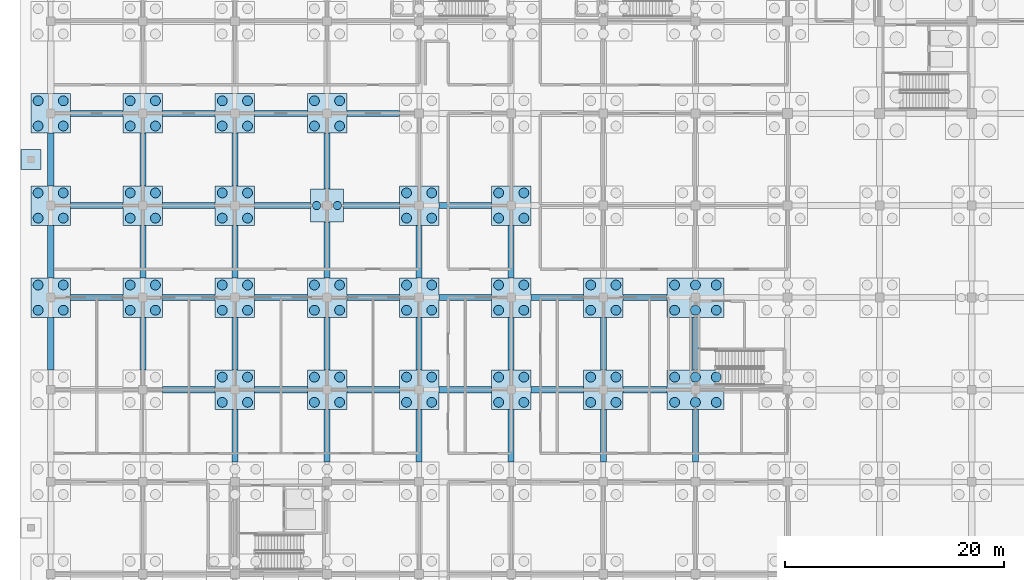
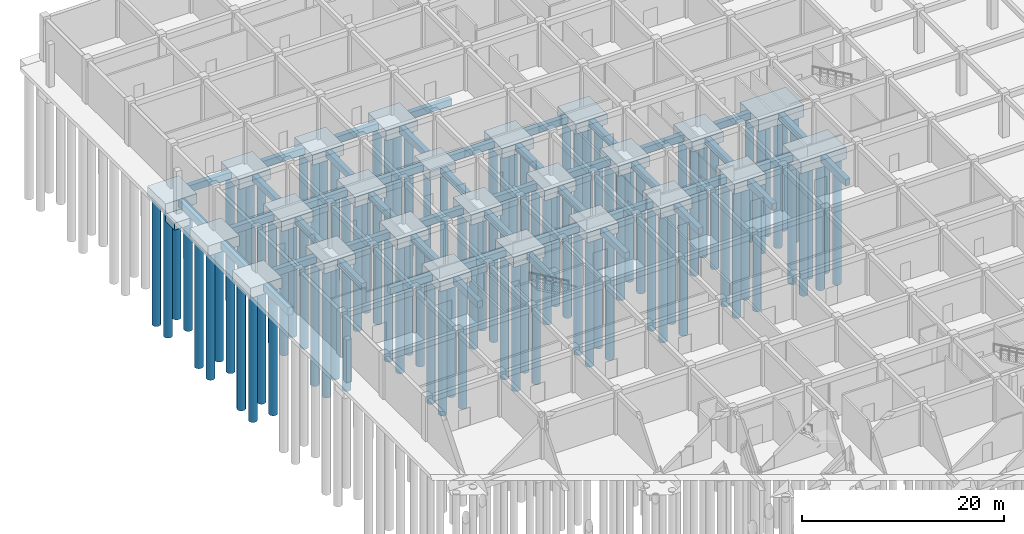
# One storey, part 7 of 65: 98 piles, 71 footings.
"""IFC4 building model written with IfcOpenShell, lengths in metres."""

from ifc_helpers import new_model, si_unit, direction, frame, origin, origin_2d, place, context, subcontext, project, spatial, rectangle, circle, extrude, material, material_profile, profile_set, type_object, element, save


model = new_model("IFC4")

# Units and contexts
model_context = context("Model", 3, precision=1e-05, world=origin(), true_north=direction((0.0, 1.0)))
body_context = subcontext(model_context, "Body", "Model", "MODEL_VIEW")
ifc_project = project(units=[si_unit("LENGTHUNIT", "METRE"), si_unit("AREAUNIT", "SQUARE_METRE"), si_unit("VOLUMEUNIT", "CUBIC_METRE"), si_unit("PLANEANGLEUNIT", "RADIAN"), si_unit("MASSUNIT", "GRAM", prefix="KILO")], contexts=[model_context])

# Site, building, storey
site_placement = place(None, origin())
site = spatial("IfcSite", under=ifc_project, at=site_placement, CompositionType="ELEMENT")
building_placement = place(site_placement, origin())
building = spatial("IfcBuilding", under=site, at=building_placement, Name="Bramfleet General Hospital", CompositionType="ELEMENT")
storey_placement = place(building_placement, frame((0.0, 0.0, -5.39990234375)))
storey = spatial("IfcBuildingStorey", under=building, at=storey_placement, Name="B1", CompositionType="ELEMENT", Elevation=-5.39990234375)

# Footings
ifc_material = material(Name="Concrete C35/45", Category="concrete")
ifc_material_profile_1 = material_profile(ifc_material, rectangle(XDim=0.550048828125, YDim=0.800048828125, at=origin_2d()), Name="RC FB 800x550")
ifc_profile_set_1 = profile_set([ifc_material_profile_1], Name="Concrete C35/45")
footing_type_1 = type_object("IfcFootingType", Name="FTG-FB-01", PredefinedType="FOOTING_BEAM", material=ifc_profile_set_1)
for number, where, z_axis, x_axis, name in (
    (1, (1.800048828125, 75.60009765625, -0.900146484375), (1.0, 0.0, 0.0), (0.0, 1.0, 0.0), "Foundation Tie Beam X 00-09"),
    (2, (1.800048828125, 84.0, -0.900146484375), (1.0, 0.0, 0.0), (0.0, 1.0, 0.0), "Foundation Tie Beam X 00-10"),
    (3, (1.800048828125, 92.39990234375, -0.900146484375), (1.0, 0.0, 0.0), (0.0, 1.0, 0.0), "Foundation Tie Beam X 00-11"),
    (4, (10.199951171875, 67.199951171875, -0.900146484375), (1.0, 0.0, 0.0), (0.0, 1.0, 0.0), "Foundation Tie Beam X 01-08"),
    (5, (8.39990234375, 69.0, -0.900146484375), (0.0, 1.0, 0.0), (-1.0, 0.0, 0.0), "Foundation Tie Beam Y 01-08"),
    (6, (10.199951171875, 75.60009765625, -0.900146484375), (1.0, 0.0, 0.0), (0.0, 1.0, 0.0), "Foundation Tie Beam X 01-09"),
    (7, (8.39990234375, 77.39990234375, -0.900146484375), (0.0, 1.0, 0.0), (-1.0, 0.0, 0.0), "Foundation Tie Beam Y 01-09"),
    (8, (10.199951171875, 84.0, -0.900146484375), (1.0, 0.0, 0.0), (0.0, 1.0, 0.0), "Foundation Tie Beam X 01-10"),
    (9, (8.39990234375, 85.800048828125, -0.900146484375), (0.0, 1.0, 0.0), (-1.0, 0.0, 0.0), "Foundation Tie Beam Y 01-10"),
    (10, (10.199951171875, 92.39990234375, -0.900146484375), (1.0, 0.0, 0.0), (0.0, 1.0, 0.0), "Foundation Tie Beam X 01-11"),
):
    element("IfcFooting", number, at=place(storey_placement, frame(where, z_axis=z_axis, x_axis=x_axis)), inside=storey, type_object=footing_type_1, Name=name, PredefinedType="FOOTING_BEAM", context=body_context, shape_type="SweptSolid", body=[
        extrude(rectangle(XDim=0.550048828125, YDim=0.800048828125, at=origin_2d()), origin(), (0.0, 0.0, 1.0), 4.800048828125),
    ])
for number, where, z_axis, x_axis, name in (
    (11, (16.800048828125, 60.60009765625, -0.900146484375), (0.0, 1.0, 0.0), (-1.0, 0.0, 0.0), "Foundation Tie Beam Y 02-07"),
    (12, (18.60009765625, 67.199951171875, -0.900146484375), (1.0, 0.0, 0.0), (0.0, 1.0, 0.0), "Foundation Tie Beam X 02-08"),
):
    element("IfcFooting", number, at=place(storey_placement, frame(where, z_axis=z_axis, x_axis=x_axis)), inside=storey, type_object=footing_type_1, Name=name, PredefinedType="FOOTING_BEAM", context=body_context, shape_type="SweptSolid", body=[
        extrude(rectangle(XDim=0.550048828125, YDim=0.800048828125, at=origin_2d()), origin(), (0.0, 0.0, 1.0), 4.7998046875),
    ])
footing_1_placement = place(storey_placement, frame((16.800048828125, 69.0, -0.900146484375), z_axis=(0.0, 1.0, 0.0), x_axis=(-1.0, 0.0, 0.0)))
element("IfcFooting", 13, at=footing_1_placement, inside=storey, type_object=footing_type_1, Name="Foundation Tie Beam Y 02-08", PredefinedType="FOOTING_BEAM", context=body_context, shape_type="SweptSolid", body=[
    extrude(rectangle(XDim=0.550048828125, YDim=0.800048828125, at=origin_2d()), origin(), (0.0, 0.0, 1.0), 4.800048828125),
])
footing_2_placement = place(storey_placement, frame((18.60009765625, 75.60009765625, -0.900146484375), z_axis=(1.0, 0.0, 0.0), x_axis=(0.0, 1.0, 0.0)))
element("IfcFooting", 14, at=footing_2_placement, inside=storey, type_object=footing_type_1, Name="Foundation Tie Beam X 02-09", PredefinedType="FOOTING_BEAM", context=body_context, shape_type="SweptSolid", body=[
    extrude(rectangle(XDim=0.550048828125, YDim=0.800048828125, at=origin_2d()), origin(), (0.0, 0.0, 1.0), 4.7998046875),
])
footing_3_placement = place(storey_placement, frame((16.800048828125, 77.39990234375, -0.900146484375), z_axis=(0.0, 1.0, 0.0), x_axis=(-1.0, 0.0, 0.0)))
element("IfcFooting", 15, at=footing_3_placement, inside=storey, type_object=footing_type_1, Name="Foundation Tie Beam Y 02-09", PredefinedType="FOOTING_BEAM", context=body_context, shape_type="SweptSolid", body=[
    extrude(rectangle(XDim=0.550048828125, YDim=0.800048828125, at=origin_2d()), origin(), (0.0, 0.0, 1.0), 4.800048828125),
])
footing_4_placement = place(storey_placement, frame((18.60009765625, 84.0, -0.900146484375), z_axis=(1.0, 0.0, 0.0), x_axis=(0.0, 1.0, 0.0)))
element("IfcFooting", 16, at=footing_4_placement, inside=storey, type_object=footing_type_1, Name="Foundation Tie Beam X 02-10", PredefinedType="FOOTING_BEAM", context=body_context, shape_type="SweptSolid", body=[
    extrude(rectangle(XDim=0.550048828125, YDim=0.800048828125, at=origin_2d()), origin(), (0.0, 0.0, 1.0), 5.099853515625),
])
footing_5_placement = place(storey_placement, frame((16.800048828125, 85.800048828125, -0.900146484375), z_axis=(0.0, 1.0, 0.0), x_axis=(-1.0, 0.0, 0.0)))
element("IfcFooting", 17, at=footing_5_placement, inside=storey, type_object=footing_type_1, Name="Foundation Tie Beam Y 02-10", PredefinedType="FOOTING_BEAM", context=body_context, shape_type="SweptSolid", body=[
    extrude(rectangle(XDim=0.550048828125, YDim=0.800048828125, at=origin_2d()), origin(), (0.0, 0.0, 1.0), 4.800048828125),
])
for number, where, z_axis, x_axis, name in (
    (18, (18.60009765625, 92.39990234375, -0.900146484375), (1.0, 0.0, 0.0), (0.0, 1.0, 0.0), "Foundation Tie Beam X 02-11"),
    (19, (25.199951171875, 60.60009765625, -0.900146484375), (0.0, 1.0, 0.0), (-1.0, 0.0, 0.0), "Foundation Tie Beam Y 03-07"),
):
    element("IfcFooting", number, at=place(storey_placement, frame(where, z_axis=z_axis, x_axis=x_axis)), inside=storey, type_object=footing_type_1, Name=name, PredefinedType="FOOTING_BEAM", context=body_context, shape_type="SweptSolid", body=[
        extrude(rectangle(XDim=0.550048828125, YDim=0.800048828125, at=origin_2d()), origin(), (0.0, 0.0, 1.0), 4.7998046875),
    ])
for number, where, z_axis, x_axis, name in (
    (20, (27.0, 67.199951171875, -0.900146484375), (1.0, 0.0, 0.0), (0.0, 1.0, 0.0), "Foundation Tie Beam X 03-08"),
    (21, (25.199951171875, 69.0, -0.900146484375), (0.0, 1.0, 0.0), (-1.0, 0.0, 0.0), "Foundation Tie Beam Y 03-08"),
    (22, (27.0, 75.60009765625, -0.900146484375), (1.0, 0.0, 0.0), (0.0, 1.0, 0.0), "Foundation Tie Beam X 03-09"),
):
    element("IfcFooting", number, at=place(storey_placement, frame(where, z_axis=z_axis, x_axis=x_axis)), inside=storey, type_object=footing_type_1, Name=name, PredefinedType="FOOTING_BEAM", context=body_context, shape_type="SweptSolid", body=[
        extrude(rectangle(XDim=0.550048828125, YDim=0.800048828125, at=origin_2d()), origin(), (0.0, 0.0, 1.0), 4.800048828125),
    ])
for number, where, z_axis, x_axis, name in (
    (23, (25.199951171875, 77.39990234375, -0.900146484375), (0.0, 1.0, 0.0), (-1.0, 0.0, 0.0), "Foundation Tie Beam Y 03-09"),
    (24, (26.699951171875, 84.0, -0.900146484375), (1.0, 0.0, 0.0), (0.0, 1.0, 0.0), "Foundation Tie Beam X 03-10"),
    (25, (25.199951171875, 85.5, -0.900146484375), (0.0, 1.0, 0.0), (-1.0, 0.0, 0.0), "Foundation Tie Beam Y 03-10"),
):
    element("IfcFooting", number, at=place(storey_placement, frame(where, z_axis=z_axis, x_axis=x_axis)), inside=storey, type_object=footing_type_1, Name=name, PredefinedType="FOOTING_BEAM", context=body_context, shape_type="SweptSolid", body=[
        extrude(rectangle(XDim=0.550048828125, YDim=0.800048828125, at=origin_2d()), origin(), (0.0, 0.0, 1.0), 5.10009765625),
    ])
footing_6_placement = place(storey_placement, frame((27.0, 92.39990234375, -0.900146484375), z_axis=(1.0, 0.0, 0.0), x_axis=(0.0, 1.0, 0.0)))
element("IfcFooting", 26, at=footing_6_placement, inside=storey, type_object=footing_type_1, Name="Foundation Tie Beam X 03-11", PredefinedType="FOOTING_BEAM", context=body_context, shape_type="SweptSolid", body=[
    extrude(rectangle(XDim=0.550048828125, YDim=0.800048828125, at=origin_2d()), origin(), (0.0, 0.0, 1.0), 4.800048828125),
])
footing_7_placement = place(storey_placement, frame((33.60009765625, 60.60009765625, -0.900146484375), z_axis=(0.0, 1.0, 0.0), x_axis=(-1.0, 0.0, 0.0)))
element("IfcFooting", 27, at=footing_7_placement, inside=storey, type_object=footing_type_1, Name="Foundation Tie Beam Y 04-07", PredefinedType="FOOTING_BEAM", context=body_context, shape_type="SweptSolid", body=[
    extrude(rectangle(XDim=0.550048828125, YDim=0.800048828125, at=origin_2d()), origin(), (0.0, 0.0, 1.0), 4.7998046875),
])
for number, where, z_axis, x_axis, name in (
    (28, (35.39990234375, 67.199951171875, -0.900146484375), (1.0, 0.0, 0.0), (0.0, 1.0, 0.0), "Foundation Tie Beam X 04-08"),
    (29, (33.60009765625, 69.0, -0.900146484375), (0.0, 1.0, 0.0), (-1.0, 0.0, 0.0), "Foundation Tie Beam Y 04-08"),
    (30, (35.39990234375, 75.60009765625, -0.900146484375), (1.0, 0.0, 0.0), (0.0, 1.0, 0.0), "Foundation Tie Beam X 04-09"),
    (31, (33.60009765625, 77.39990234375, -0.900146484375), (0.0, 1.0, 0.0), (-1.0, 0.0, 0.0), "Foundation Tie Beam Y 04-09"),
    (32, (35.39990234375, 84.0, -0.900146484375), (1.0, 0.0, 0.0), (0.0, 1.0, 0.0), "Foundation Tie Beam X 04-10"),
):
    element("IfcFooting", number, at=place(storey_placement, frame(where, z_axis=z_axis, x_axis=x_axis)), inside=storey, type_object=footing_type_1, Name=name, PredefinedType="FOOTING_BEAM", context=body_context, shape_type="SweptSolid", body=[
        extrude(rectangle(XDim=0.550048828125, YDim=0.800048828125, at=origin_2d()), origin(), (0.0, 0.0, 1.0), 4.800048828125),
    ])
footing_8_placement = place(storey_placement, frame((42.0, 60.60009765625, -0.900146484375), z_axis=(0.0, 1.0, 0.0), x_axis=(-1.0, 0.0, 0.0)))
element("IfcFooting", 33, at=footing_8_placement, inside=storey, type_object=footing_type_1, Name="Foundation Tie Beam Y 05-07", PredefinedType="FOOTING_BEAM", context=body_context, shape_type="SweptSolid", body=[
    extrude(rectangle(XDim=0.550048828125, YDim=0.800048828125, at=origin_2d()), origin(), (0.0, 0.0, 1.0), 4.7998046875),
])
for number, where, z_axis, x_axis, name in (
    (34, (43.800048828125, 67.199951171875, -0.900146484375), (1.0, 0.0, 0.0), (0.0, 1.0, 0.0), "Foundation Tie Beam X 05-08"),
    (35, (42.0, 69.0, -0.900146484375), (0.0, 1.0, 0.0), (-1.0, 0.0, 0.0), "Foundation Tie Beam Y 05-08"),
    (36, (43.800048828125, 75.60009765625, -0.900146484375), (1.0, 0.0, 0.0), (0.0, 1.0, 0.0), "Foundation Tie Beam X 05-09"),
    (37, (42.0, 77.39990234375, -0.900146484375), (0.0, 1.0, 0.0), (-1.0, 0.0, 0.0), "Foundation Tie Beam Y 05-09"),
):
    element("IfcFooting", number, at=place(storey_placement, frame(where, z_axis=z_axis, x_axis=x_axis)), inside=storey, type_object=footing_type_1, Name=name, PredefinedType="FOOTING_BEAM", context=body_context, shape_type="SweptSolid", body=[
        extrude(rectangle(XDim=0.550048828125, YDim=0.800048828125, at=origin_2d()), origin(), (0.0, 0.0, 1.0), 4.800048828125),
    ])
footing_9_placement = place(storey_placement, frame((50.39990234375, 60.60009765625, -0.900146484375), z_axis=(0.0, 1.0, 0.0), x_axis=(-1.0, 0.0, 0.0)))
element("IfcFooting", 38, at=footing_9_placement, inside=storey, type_object=footing_type_1, Name="Foundation Tie Beam Y 06-07", PredefinedType="FOOTING_BEAM", context=body_context, shape_type="SweptSolid", body=[
    extrude(rectangle(XDim=0.550048828125, YDim=0.800048828125, at=origin_2d()), origin(), (0.0, 0.0, 1.0), 4.7998046875),
])
footing_10_placement = place(storey_placement, frame((52.199951171875, 67.199951171875, -0.900146484375), z_axis=(1.0, 0.0, 0.0), x_axis=(0.0, 1.0, 0.0)))
element("IfcFooting", 39, at=footing_10_placement, inside=storey, type_object=footing_type_1, Name="Foundation Tie Beam X 06-08", PredefinedType="FOOTING_BEAM", context=body_context, shape_type="SweptSolid", body=[
    extrude(rectangle(XDim=0.550048828125, YDim=0.800048828125, at=origin_2d()), origin(), (0.0, 0.0, 1.0), 4.0),
])
footing_11_placement = place(storey_placement, frame((50.39990234375, 69.0, -0.900146484375), z_axis=(0.0, 1.0, 0.0), x_axis=(-1.0, 0.0, 0.0)))
element("IfcFooting", 40, at=footing_11_placement, inside=storey, type_object=footing_type_1, Name="Foundation Tie Beam Y 06-08", PredefinedType="FOOTING_BEAM", context=body_context, shape_type="SweptSolid", body=[
    extrude(rectangle(XDim=0.550048828125, YDim=0.800048828125, at=origin_2d()), origin(), (0.0, 0.0, 1.0), 4.800048828125),
])
footing_12_placement = place(storey_placement, frame((52.199951171875, 75.60009765625, -0.900146484375), z_axis=(1.0, 0.0, 0.0), x_axis=(0.0, 1.0, 0.0)))
element("IfcFooting", 41, at=footing_12_placement, inside=storey, type_object=footing_type_1, Name="Foundation Tie Beam X 06-09", PredefinedType="FOOTING_BEAM", context=body_context, shape_type="SweptSolid", body=[
    extrude(rectangle(XDim=0.550048828125, YDim=0.800048828125, at=origin_2d()), origin(), (0.0, 0.0, 1.0), 4.0),
])
footing_13_placement = place(storey_placement, frame((58.800048828125, 60.60009765625, -0.900146484375), z_axis=(0.0, 1.0, 0.0), x_axis=(-1.0, 0.0, 0.0)))
element("IfcFooting", 42, at=footing_13_placement, inside=storey, type_object=footing_type_1, Name="Foundation Tie Beam Y 07-07", PredefinedType="FOOTING_BEAM", context=body_context, shape_type="SweptSolid", body=[
    extrude(rectangle(XDim=0.550048828125, YDim=0.800048828125, at=origin_2d()), origin(), (0.0, 0.0, 1.0), 4.7998046875),
])
footing_14_placement = place(storey_placement, frame((58.800048828125, 69.0, -0.900146484375), z_axis=(0.0, 1.0, 0.0), x_axis=(-1.0, 0.0, 0.0)))
element("IfcFooting", 43, at=footing_14_placement, inside=storey, type_object=footing_type_1, Name="Foundation Tie Beam Y 07-08", PredefinedType="FOOTING_BEAM", context=body_context, shape_type="SweptSolid", body=[
    extrude(rectangle(XDim=0.550048828125, YDim=0.800048828125, at=origin_2d()), origin(), (0.0, 0.0, 1.0), 4.800048828125),
])
ifc_material_profile_2 = material_profile(ifc_material, rectangle(XDim=0.60009765625, YDim=0.89990234375, at=origin_2d()), Name="RC FB 900x600")
ifc_profile_set_2 = profile_set([ifc_material_profile_2], Name="Concrete C35/45")
footing_type_2 = type_object("IfcFootingType", Name="FTG-FB-02", PredefinedType="FOOTING_BEAM", material=ifc_profile_set_2)
for number, where, z_axis, x_axis, name in (
    (44, (0.0, 69.0, -0.9501953125), (0.0, 1.0, 0.0), (-1.0, 0.0, 0.0), "Foundation Tie Beam Y 00-08"),
    (45, (0.0, 77.39990234375, -0.9501953125), (0.0, 1.0, 0.0), (-1.0, 0.0, 0.0), "Foundation Tie Beam Y 00-09"),
    (46, (0.0, 85.800048828125, -0.9501953125), (0.0, 1.0, 0.0), (-1.0, 0.0, 0.0), "Foundation Tie Beam Y 00-10"),
):
    element("IfcFooting", number, at=place(storey_placement, frame(where, z_axis=z_axis, x_axis=x_axis)), inside=storey, type_object=footing_type_2, Name=name, PredefinedType="FOOTING_BEAM", context=body_context, shape_type="SweptSolid", body=[
        extrude(rectangle(XDim=0.60009765625, YDim=0.89990234375, at=origin_2d()), origin(), (0.0, 0.0, 1.0), 4.800048828125),
    ])
footing_type_3 = type_object("IfcFootingType", Name="FTG-PC-01", PredefinedType="PILE_CAP", material=ifc_material)
footing_15_placement = place(storey_placement, frame((25.199951171875, 84.0, -1.7001953125), z_axis=(0.0, 0.0, 1.0), x_axis=(1.0, 0.0, 0.0)))
element("IfcFooting", 47, at=footing_15_placement, inside=storey, type_object=footing_type_3, Name="Pile Cap FTG-B1-03-10", PredefinedType="PILE_CAP", context=body_context, shape_type="SweptSolid", body=[
    extrude(rectangle(XDim=3.0, YDim=3.0, at=origin_2d()), origin(), (0.0, 0.0, 1.0), 1.199951171875),
])
footing_type_4 = type_object("IfcFootingType", Name="FTG-PC-03", PredefinedType="PILE_CAP", material=ifc_material)
for number, where, z_axis, x_axis, name in (
    (48, (0.0, 75.60009765625, -1.7001953125), (0.0, 0.0, 1.0), (1.0, 0.0, 0.0), "Pile Cap FTG-B1-00-09"),
    (49, (0.0, 84.0, -1.7001953125), (0.0, 0.0, 1.0), (1.0, 0.0, 0.0), "Pile Cap FTG-B1-00-10"),
    (50, (0.0, 92.39990234375, -1.7001953125), (0.0, 0.0, 1.0), (1.0, 0.0, 0.0), "Pile Cap FTG-B1-00-11"),
    (51, (8.39990234375, 75.60009765625, -1.7001953125), (0.0, 0.0, 1.0), (1.0, 0.0, 0.0), "Pile Cap FTG-B1-01-09"),
    (52, (8.39990234375, 84.0, -1.7001953125), (0.0, 0.0, 1.0), (1.0, 0.0, 0.0), "Pile Cap FTG-B1-01-10"),
    (53, (8.39990234375, 92.39990234375, -1.7001953125), (0.0, 0.0, 1.0), (1.0, 0.0, 0.0), "Pile Cap FTG-B1-01-11"),
    (54, (16.800048828125, 67.199951171875, -1.7001953125), (0.0, 0.0, 1.0), (1.0, 0.0, 0.0), "Pile Cap FTG-B1-02-08"),
    (55, (16.800048828125, 75.60009765625, -1.7001953125), (0.0, 0.0, 1.0), (1.0, 0.0, 0.0), "Pile Cap FTG-B1-02-09"),
    (56, (16.800048828125, 84.0, -1.7001953125), (0.0, 0.0, 1.0), (1.0, 0.0, 0.0), "Pile Cap FTG-B1-02-10"),
    (57, (16.800048828125, 92.39990234375, -1.7001953125), (0.0, 0.0, 1.0), (1.0, 0.0, 0.0), "Pile Cap FTG-B1-02-11"),
    (58, (25.199951171875, 67.199951171875, -1.7001953125), (0.0, 0.0, 1.0), (1.0, 0.0, 0.0), "Pile Cap FTG-B1-03-08"),
    (59, (25.199951171875, 75.60009765625, -1.7001953125), (0.0, 0.0, 1.0), (1.0, 0.0, 0.0), "Pile Cap FTG-B1-03-09"),
    (60, (25.199951171875, 92.39990234375, -1.7001953125), (0.0, 0.0, 1.0), (1.0, 0.0, 0.0), "Pile Cap FTG-B1-03-11"),
    (61, (33.60009765625, 67.199951171875, -1.7001953125), (0.0, 0.0, 1.0), (1.0, 0.0, 0.0), "Pile Cap FTG-B1-04-08"),
    (62, (33.60009765625, 75.60009765625, -1.7001953125), (0.0, 0.0, 1.0), (1.0, 0.0, 0.0), "Pile Cap FTG-B1-04-09"),
    (63, (33.60009765625, 84.0, -1.7001953125), (0.0, 0.0, 1.0), (1.0, 0.0, 0.0), "Pile Cap FTG-B1-04-10"),
    (64, (42.0, 67.199951171875, -1.7001953125), (0.0, 0.0, 1.0), (1.0, 0.0, 0.0), "Pile Cap FTG-B1-05-08"),
    (65, (42.0, 75.60009765625, -1.7001953125), (0.0, 0.0, 1.0), (1.0, 0.0, 0.0), "Pile Cap FTG-B1-05-09"),
    (66, (42.0, 84.0, -1.7001953125), (0.0, 0.0, 1.0), (1.0, 0.0, 0.0), "Pile Cap FTG-B1-05-10"),
    (67, (50.39990234375, 67.199951171875, -1.7001953125), (0.0, 0.0, 1.0), (1.0, 0.0, 0.0), "Pile Cap FTG-B1-06-08"),
    (68, (50.39990234375, 75.60009765625, -1.7001953125), (0.0, 0.0, 1.0), (1.0, 0.0, 0.0), "Pile Cap FTG-B1-06-09"),
):
    element("IfcFooting", number, at=place(storey_placement, frame(where, z_axis=z_axis, x_axis=x_axis)), inside=storey, type_object=footing_type_4, Name=name, PredefinedType="PILE_CAP", context=body_context, shape_type="SweptSolid", body=[
        extrude(rectangle(XDim=3.60009765625, YDim=3.60009765625, at=origin_2d()), origin(), (0.0, 0.0, 1.0), 1.199951171875),
    ])
footing_type_5 = type_object("IfcFootingType", Name="FTG-PC-06", PredefinedType="PILE_CAP", material=ifc_material)
for number, where, z_axis, x_axis, name in (
    (69, (58.800048828125, 67.199951171875, -1.900146484375), (0.0, 0.0, 1.0), (1.0, 0.0, 0.0), "Pile Cap FTG-B1-07-08"),
    (70, (58.800048828125, 75.60009765625, -1.900146484375), (0.0, 0.0, 1.0), (1.0, 0.0, 0.0), "Pile Cap FTG-B1-07-09"),
):
    element("IfcFooting", number, at=place(storey_placement, frame(where, z_axis=z_axis, x_axis=x_axis)), inside=storey, type_object=footing_type_5, Name=name, PredefinedType="PILE_CAP", context=body_context, shape_type="SweptSolid", body=[
        extrude(rectangle(XDim=5.199951171875, YDim=3.60009765625, at=origin_2d()), origin(), (0.0, 0.0, 1.0), 1.39990234375),
    ])
footing_type_6 = type_object("IfcFootingType", Name="FTG-PF-01", PredefinedType="PAD_FOOTING", material=ifc_material)
footing_16_placement = place(storey_placement, frame((-1.800048828125, 88.199951171875, -1.35009765625), z_axis=(0.0, 0.0, 1.0), x_axis=(1.0, 0.0, 0.0)))
element("IfcFooting", 71, at=footing_16_placement, inside=storey, type_object=footing_type_6, Name="West Plinth Pad Footing 3", PredefinedType="PAD_FOOTING", context=body_context, shape_type="SweptSolid", body=[
    extrude(rectangle(XDim=1.800048828125, YDim=1.800048828125, at=origin_2d()), origin(), (0.0, 0.0, 1.0), 0.85009765625),
])

# Piles
ifc_material_profile_3 = material_profile(ifc_material, circle(Radius=0.375, at=origin_2d()), Name="PILE BORED D750")
ifc_profile_set_3 = profile_set([ifc_material_profile_3], Name="Concrete C35/45")
pile_type_1 = type_object("IfcPileType", Name="PILE-D750", PredefinedType="BORED", material=ifc_profile_set_3)
for number, where, z_axis, x_axis, name in (
    (72, (24.25, 84.0, -1.60009765625), (0.0, 0.0, -1.0), (1.0, 0.0, 0.0), "Bored Pile PILE-B1-03-10-1"),
    (73, (26.14990234375, 84.0, -1.60009765625), (0.0, 0.0, -1.0), (1.0, 0.0, 0.0), "Bored Pile PILE-B1-03-10-2"),
):
    element("IfcPile", number, at=place(storey_placement, frame(where, z_axis=z_axis, x_axis=x_axis)), inside=storey, type_object=pile_type_1, Name=name, PredefinedType="BORED", context=body_context, shape_type="SweptSolid", body=[
        extrude(circle(Radius=0.375, at=origin_2d()), origin(), (0.0, 0.0, 1.0), 15.39990234375),
    ])
ifc_material_profile_4 = material_profile(ifc_material, circle(Radius=0.449951171875, at=origin_2d()), Name="PILE BORED D900")
ifc_profile_set_4 = profile_set([ifc_material_profile_4], Name="Concrete C35/45")
pile_type_2 = type_object("IfcPileType", Name="PILE-D900", PredefinedType="BORED", material=ifc_profile_set_4)
for number, where, z_axis, x_axis, name in (
    (74, (-1.14990234375, 74.449951171875, -1.60009765625), (0.0, 0.0, -1.0), (1.0, 0.0, 0.0), "Bored Pile PILE-B1-00-09-1"),
    (75, (1.14990234375, 74.449951171875, -1.60009765625), (0.0, 0.0, -1.0), (1.0, 0.0, 0.0), "Bored Pile PILE-B1-00-09-2"),
    (76, (-1.14990234375, 76.75, -1.60009765625), (0.0, 0.0, -1.0), (1.0, 0.0, 0.0), "Bored Pile PILE-B1-00-09-3"),
    (77, (1.14990234375, 76.75, -1.60009765625), (0.0, 0.0, -1.0), (1.0, 0.0, 0.0), "Bored Pile PILE-B1-00-09-4"),
    (78, (-1.14990234375, 82.85009765625, -1.60009765625), (0.0, 0.0, -1.0), (1.0, 0.0, 0.0), "Bored Pile PILE-B1-00-10-1"),
    (79, (1.14990234375, 82.85009765625, -1.60009765625), (0.0, 0.0, -1.0), (1.0, 0.0, 0.0), "Bored Pile PILE-B1-00-10-2"),
    (80, (-1.14990234375, 85.14990234375, -1.60009765625), (0.0, 0.0, -1.0), (1.0, 0.0, 0.0), "Bored Pile PILE-B1-00-10-3"),
    (81, (1.14990234375, 85.14990234375, -1.60009765625), (0.0, 0.0, -1.0), (1.0, 0.0, 0.0), "Bored Pile PILE-B1-00-10-4"),
    (82, (-1.14990234375, 91.25, -1.60009765625), (0.0, 0.0, -1.0), (1.0, 0.0, 0.0), "Bored Pile PILE-B1-00-11-1"),
    (83, (1.14990234375, 91.25, -1.60009765625), (0.0, 0.0, -1.0), (1.0, 0.0, 0.0), "Bored Pile PILE-B1-00-11-2"),
    (84, (-1.14990234375, 93.550048828125, -1.60009765625), (0.0, 0.0, -1.0), (1.0, 0.0, 0.0), "Bored Pile PILE-B1-00-11-3"),
    (85, (1.14990234375, 93.550048828125, -1.60009765625), (0.0, 0.0, -1.0), (1.0, 0.0, 0.0), "Bored Pile PILE-B1-00-11-4"),
    (86, (7.25, 74.449951171875, -1.60009765625), (0.0, 0.0, -1.0), (1.0, 0.0, 0.0), "Bored Pile PILE-B1-01-09-1"),
    (87, (9.550048828125, 74.449951171875, -1.60009765625), (0.0, 0.0, -1.0), (1.0, 0.0, 0.0), "Bored Pile PILE-B1-01-09-2"),
    (88, (7.25, 76.75, -1.60009765625), (0.0, 0.0, -1.0), (1.0, 0.0, 0.0), "Bored Pile PILE-B1-01-09-3"),
    (89, (9.550048828125, 76.75, -1.60009765625), (0.0, 0.0, -1.0), (1.0, 0.0, 0.0), "Bored Pile PILE-B1-01-09-4"),
    (90, (7.25, 82.85009765625, -1.60009765625), (0.0, 0.0, -1.0), (1.0, 0.0, 0.0), "Bored Pile PILE-B1-01-10-1"),
    (91, (9.550048828125, 82.85009765625, -1.60009765625), (0.0, 0.0, -1.0), (1.0, 0.0, 0.0), "Bored Pile PILE-B1-01-10-2"),
    (92, (7.25, 85.14990234375, -1.60009765625), (0.0, 0.0, -1.0), (1.0, 0.0, 0.0), "Bored Pile PILE-B1-01-10-3"),
    (93, (9.550048828125, 85.14990234375, -1.60009765625), (0.0, 0.0, -1.0), (1.0, 0.0, 0.0), "Bored Pile PILE-B1-01-10-4"),
    (94, (7.25, 91.25, -1.60009765625), (0.0, 0.0, -1.0), (1.0, 0.0, 0.0), "Bored Pile PILE-B1-01-11-1"),
    (95, (9.550048828125, 91.25, -1.60009765625), (0.0, 0.0, -1.0), (1.0, 0.0, 0.0), "Bored Pile PILE-B1-01-11-2"),
    (96, (7.25, 93.550048828125, -1.60009765625), (0.0, 0.0, -1.0), (1.0, 0.0, 0.0), "Bored Pile PILE-B1-01-11-3"),
    (97, (9.550048828125, 93.550048828125, -1.60009765625), (0.0, 0.0, -1.0), (1.0, 0.0, 0.0), "Bored Pile PILE-B1-01-11-4"),
    (98, (15.64990234375, 66.050048828125, -1.60009765625), (0.0, 0.0, -1.0), (1.0, 0.0, 0.0), "Bored Pile PILE-B1-02-08-1"),
    (99, (17.949951171875, 66.050048828125, -1.60009765625), (0.0, 0.0, -1.0), (1.0, 0.0, 0.0), "Bored Pile PILE-B1-02-08-2"),
    (100, (15.64990234375, 68.35009765625, -1.60009765625), (0.0, 0.0, -1.0), (1.0, 0.0, 0.0), "Bored Pile PILE-B1-02-08-3"),
    (101, (17.949951171875, 68.35009765625, -1.60009765625), (0.0, 0.0, -1.0), (1.0, 0.0, 0.0), "Bored Pile PILE-B1-02-08-4"),
    (102, (15.64990234375, 74.449951171875, -1.60009765625), (0.0, 0.0, -1.0), (1.0, 0.0, 0.0), "Bored Pile PILE-B1-02-09-1"),
    (103, (17.949951171875, 74.449951171875, -1.60009765625), (0.0, 0.0, -1.0), (1.0, 0.0, 0.0), "Bored Pile PILE-B1-02-09-2"),
    (104, (15.64990234375, 76.75, -1.60009765625), (0.0, 0.0, -1.0), (1.0, 0.0, 0.0), "Bored Pile PILE-B1-02-09-3"),
    (105, (17.949951171875, 76.75, -1.60009765625), (0.0, 0.0, -1.0), (1.0, 0.0, 0.0), "Bored Pile PILE-B1-02-09-4"),
    (106, (15.64990234375, 82.85009765625, -1.60009765625), (0.0, 0.0, -1.0), (1.0, 0.0, 0.0), "Bored Pile PILE-B1-02-10-1"),
    (107, (17.949951171875, 82.85009765625, -1.60009765625), (0.0, 0.0, -1.0), (1.0, 0.0, 0.0), "Bored Pile PILE-B1-02-10-2"),
    (108, (15.64990234375, 85.14990234375, -1.60009765625), (0.0, 0.0, -1.0), (1.0, 0.0, 0.0), "Bored Pile PILE-B1-02-10-3"),
    (109, (17.949951171875, 85.14990234375, -1.60009765625), (0.0, 0.0, -1.0), (1.0, 0.0, 0.0), "Bored Pile PILE-B1-02-10-4"),
    (110, (15.64990234375, 91.25, -1.60009765625), (0.0, 0.0, -1.0), (1.0, 0.0, 0.0), "Bored Pile PILE-B1-02-11-1"),
    (111, (17.949951171875, 91.25, -1.60009765625), (0.0, 0.0, -1.0), (1.0, 0.0, 0.0), "Bored Pile PILE-B1-02-11-2"),
    (112, (15.64990234375, 93.550048828125, -1.60009765625), (0.0, 0.0, -1.0), (1.0, 0.0, 0.0), "Bored Pile PILE-B1-02-11-3"),
    (113, (17.949951171875, 93.550048828125, -1.60009765625), (0.0, 0.0, -1.0), (1.0, 0.0, 0.0), "Bored Pile PILE-B1-02-11-4"),
    (114, (24.050048828125, 66.050048828125, -1.60009765625), (0.0, 0.0, -1.0), (1.0, 0.0, 0.0), "Bored Pile PILE-B1-03-08-1"),
    (115, (26.35009765625, 66.050048828125, -1.60009765625), (0.0, 0.0, -1.0), (1.0, 0.0, 0.0), "Bored Pile PILE-B1-03-08-2"),
    (116, (24.050048828125, 68.35009765625, -1.60009765625), (0.0, 0.0, -1.0), (1.0, 0.0, 0.0), "Bored Pile PILE-B1-03-08-3"),
    (117, (26.35009765625, 68.35009765625, -1.60009765625), (0.0, 0.0, -1.0), (1.0, 0.0, 0.0), "Bored Pile PILE-B1-03-08-4"),
    (118, (24.050048828125, 74.449951171875, -1.60009765625), (0.0, 0.0, -1.0), (1.0, 0.0, 0.0), "Bored Pile PILE-B1-03-09-1"),
    (119, (26.35009765625, 74.449951171875, -1.60009765625), (0.0, 0.0, -1.0), (1.0, 0.0, 0.0), "Bored Pile PILE-B1-03-09-2"),
    (120, (24.050048828125, 76.75, -1.60009765625), (0.0, 0.0, -1.0), (1.0, 0.0, 0.0), "Bored Pile PILE-B1-03-09-3"),
    (121, (26.35009765625, 76.75, -1.60009765625), (0.0, 0.0, -1.0), (1.0, 0.0, 0.0), "Bored Pile PILE-B1-03-09-4"),
    (122, (24.050048828125, 91.25, -1.60009765625), (0.0, 0.0, -1.0), (1.0, 0.0, 0.0), "Bored Pile PILE-B1-03-11-1"),
    (123, (26.35009765625, 91.25, -1.60009765625), (0.0, 0.0, -1.0), (1.0, 0.0, 0.0), "Bored Pile PILE-B1-03-11-2"),
    (124, (24.050048828125, 93.550048828125, -1.60009765625), (0.0, 0.0, -1.0), (1.0, 0.0, 0.0), "Bored Pile PILE-B1-03-11-3"),
    (125, (26.35009765625, 93.550048828125, -1.60009765625), (0.0, 0.0, -1.0), (1.0, 0.0, 0.0), "Bored Pile PILE-B1-03-11-4"),
    (126, (32.449951171875, 66.050048828125, -1.60009765625), (0.0, 0.0, -1.0), (1.0, 0.0, 0.0), "Bored Pile PILE-B1-04-08-1"),
    (127, (34.75, 66.050048828125, -1.60009765625), (0.0, 0.0, -1.0), (1.0, 0.0, 0.0), "Bored Pile PILE-B1-04-08-2"),
    (128, (32.449951171875, 68.35009765625, -1.60009765625), (0.0, 0.0, -1.0), (1.0, 0.0, 0.0), "Bored Pile PILE-B1-04-08-3"),
    (129, (34.75, 68.35009765625, -1.60009765625), (0.0, 0.0, -1.0), (1.0, 0.0, 0.0), "Bored Pile PILE-B1-04-08-4"),
    (130, (32.449951171875, 74.449951171875, -1.60009765625), (0.0, 0.0, -1.0), (1.0, 0.0, 0.0), "Bored Pile PILE-B1-04-09-1"),
    (131, (34.75, 74.449951171875, -1.60009765625), (0.0, 0.0, -1.0), (1.0, 0.0, 0.0), "Bored Pile PILE-B1-04-09-2"),
    (132, (32.449951171875, 76.75, -1.60009765625), (0.0, 0.0, -1.0), (1.0, 0.0, 0.0), "Bored Pile PILE-B1-04-09-3"),
    (133, (34.75, 76.75, -1.60009765625), (0.0, 0.0, -1.0), (1.0, 0.0, 0.0), "Bored Pile PILE-B1-04-09-4"),
    (134, (32.449951171875, 82.85009765625, -1.60009765625), (0.0, 0.0, -1.0), (1.0, 0.0, 0.0), "Bored Pile PILE-B1-04-10-1"),
    (135, (34.75, 82.85009765625, -1.60009765625), (0.0, 0.0, -1.0), (1.0, 0.0, 0.0), "Bored Pile PILE-B1-04-10-2"),
    (136, (32.449951171875, 85.14990234375, -1.60009765625), (0.0, 0.0, -1.0), (1.0, 0.0, 0.0), "Bored Pile PILE-B1-04-10-3"),
    (137, (34.75, 85.14990234375, -1.60009765625), (0.0, 0.0, -1.0), (1.0, 0.0, 0.0), "Bored Pile PILE-B1-04-10-4"),
    (138, (40.85009765625, 66.050048828125, -1.60009765625), (0.0, 0.0, -1.0), (1.0, 0.0, 0.0), "Bored Pile PILE-B1-05-08-1"),
    (139, (43.14990234375, 66.050048828125, -1.60009765625), (0.0, 0.0, -1.0), (1.0, 0.0, 0.0), "Bored Pile PILE-B1-05-08-2"),
    (140, (40.85009765625, 68.35009765625, -1.60009765625), (0.0, 0.0, -1.0), (1.0, 0.0, 0.0), "Bored Pile PILE-B1-05-08-3"),
    (141, (43.14990234375, 68.35009765625, -1.60009765625), (0.0, 0.0, -1.0), (1.0, 0.0, 0.0), "Bored Pile PILE-B1-05-08-4"),
    (142, (40.85009765625, 74.449951171875, -1.60009765625), (0.0, 0.0, -1.0), (1.0, 0.0, 0.0), "Bored Pile PILE-B1-05-09-1"),
    (143, (43.14990234375, 74.449951171875, -1.60009765625), (0.0, 0.0, -1.0), (1.0, 0.0, 0.0), "Bored Pile PILE-B1-05-09-2"),
    (144, (40.85009765625, 76.75, -1.60009765625), (0.0, 0.0, -1.0), (1.0, 0.0, 0.0), "Bored Pile PILE-B1-05-09-3"),
    (145, (43.14990234375, 76.75, -1.60009765625), (0.0, 0.0, -1.0), (1.0, 0.0, 0.0), "Bored Pile PILE-B1-05-09-4"),
    (146, (40.85009765625, 82.85009765625, -1.60009765625), (0.0, 0.0, -1.0), (1.0, 0.0, 0.0), "Bored Pile PILE-B1-05-10-1"),
    (147, (43.14990234375, 82.85009765625, -1.60009765625), (0.0, 0.0, -1.0), (1.0, 0.0, 0.0), "Bored Pile PILE-B1-05-10-2"),
    (148, (40.85009765625, 85.14990234375, -1.60009765625), (0.0, 0.0, -1.0), (1.0, 0.0, 0.0), "Bored Pile PILE-B1-05-10-3"),
    (149, (43.14990234375, 85.14990234375, -1.60009765625), (0.0, 0.0, -1.0), (1.0, 0.0, 0.0), "Bored Pile PILE-B1-05-10-4"),
    (150, (49.25, 66.050048828125, -1.60009765625), (0.0, 0.0, -1.0), (1.0, 0.0, 0.0), "Bored Pile PILE-B1-06-08-1"),
    (151, (51.550048828125, 66.050048828125, -1.60009765625), (0.0, 0.0, -1.0), (1.0, 0.0, 0.0), "Bored Pile PILE-B1-06-08-2"),
    (152, (49.25, 68.35009765625, -1.60009765625), (0.0, 0.0, -1.0), (1.0, 0.0, 0.0), "Bored Pile PILE-B1-06-08-3"),
    (153, (51.550048828125, 68.35009765625, -1.60009765625), (0.0, 0.0, -1.0), (1.0, 0.0, 0.0), "Bored Pile PILE-B1-06-08-4"),
    (154, (49.25, 74.449951171875, -1.60009765625), (0.0, 0.0, -1.0), (1.0, 0.0, 0.0), "Bored Pile PILE-B1-06-09-1"),
    (155, (51.550048828125, 74.449951171875, -1.60009765625), (0.0, 0.0, -1.0), (1.0, 0.0, 0.0), "Bored Pile PILE-B1-06-09-2"),
    (156, (49.25, 76.75, -1.60009765625), (0.0, 0.0, -1.0), (1.0, 0.0, 0.0), "Bored Pile PILE-B1-06-09-3"),
    (157, (51.550048828125, 76.75, -1.60009765625), (0.0, 0.0, -1.0), (1.0, 0.0, 0.0), "Bored Pile PILE-B1-06-09-4"),
):
    element("IfcPile", number, at=place(storey_placement, frame(where, z_axis=z_axis, x_axis=x_axis)), inside=storey, type_object=pile_type_2, Name=name, PredefinedType="BORED", context=body_context, shape_type="SweptSolid", body=[
        extrude(circle(Radius=0.449951171875, at=origin_2d()), origin(), (0.0, 0.0, 1.0), 15.39990234375),
    ])
for number, where, z_axis, x_axis, name in (
    (158, (56.89990234375, 66.050048828125, -1.800048828125), (0.0, 0.0, -1.0), (1.0, 0.0, 0.0), "Bored Pile PILE-B1-07-08-1"),
    (159, (58.800048828125, 66.050048828125, -1.800048828125), (0.0, 0.0, -1.0), (1.0, 0.0, 0.0), "Bored Pile PILE-B1-07-08-2"),
    (160, (60.699951171875, 66.050048828125, -1.800048828125), (0.0, 0.0, -1.0), (1.0, 0.0, 0.0), "Bored Pile PILE-B1-07-08-3"),
    (161, (56.89990234375, 68.35009765625, -1.800048828125), (0.0, 0.0, -1.0), (1.0, 0.0, 0.0), "Bored Pile PILE-B1-07-08-4"),
    (162, (58.800048828125, 68.35009765625, -1.800048828125), (0.0, 0.0, -1.0), (1.0, 0.0, 0.0), "Bored Pile PILE-B1-07-08-5"),
    (163, (60.699951171875, 68.35009765625, -1.800048828125), (0.0, 0.0, -1.0), (1.0, 0.0, 0.0), "Bored Pile PILE-B1-07-08-6"),
    (164, (56.89990234375, 74.449951171875, -1.800048828125), (0.0, 0.0, -1.0), (1.0, 0.0, 0.0), "Bored Pile PILE-B1-07-09-1"),
    (165, (58.800048828125, 74.449951171875, -1.800048828125), (0.0, 0.0, -1.0), (1.0, 0.0, 0.0), "Bored Pile PILE-B1-07-09-2"),
    (166, (60.699951171875, 74.449951171875, -1.800048828125), (0.0, 0.0, -1.0), (1.0, 0.0, 0.0), "Bored Pile PILE-B1-07-09-3"),
    (167, (56.89990234375, 76.75, -1.800048828125), (0.0, 0.0, -1.0), (1.0, 0.0, 0.0), "Bored Pile PILE-B1-07-09-4"),
    (168, (58.800048828125, 76.75, -1.800048828125), (0.0, 0.0, -1.0), (1.0, 0.0, 0.0), "Bored Pile PILE-B1-07-09-5"),
    (169, (60.699951171875, 76.75, -1.800048828125), (0.0, 0.0, -1.0), (1.0, 0.0, 0.0), "Bored Pile PILE-B1-07-09-6"),
):
    element("IfcPile", number, at=place(storey_placement, frame(where, z_axis=z_axis, x_axis=x_axis)), inside=storey, type_object=pile_type_2, Name=name, PredefinedType="BORED", context=body_context, shape_type="SweptSolid", body=[
        extrude(circle(Radius=0.449951171875, at=origin_2d()), origin(), (0.0, 0.0, 1.0), 15.199951171875),
    ])

save(model, "model.ifc")
